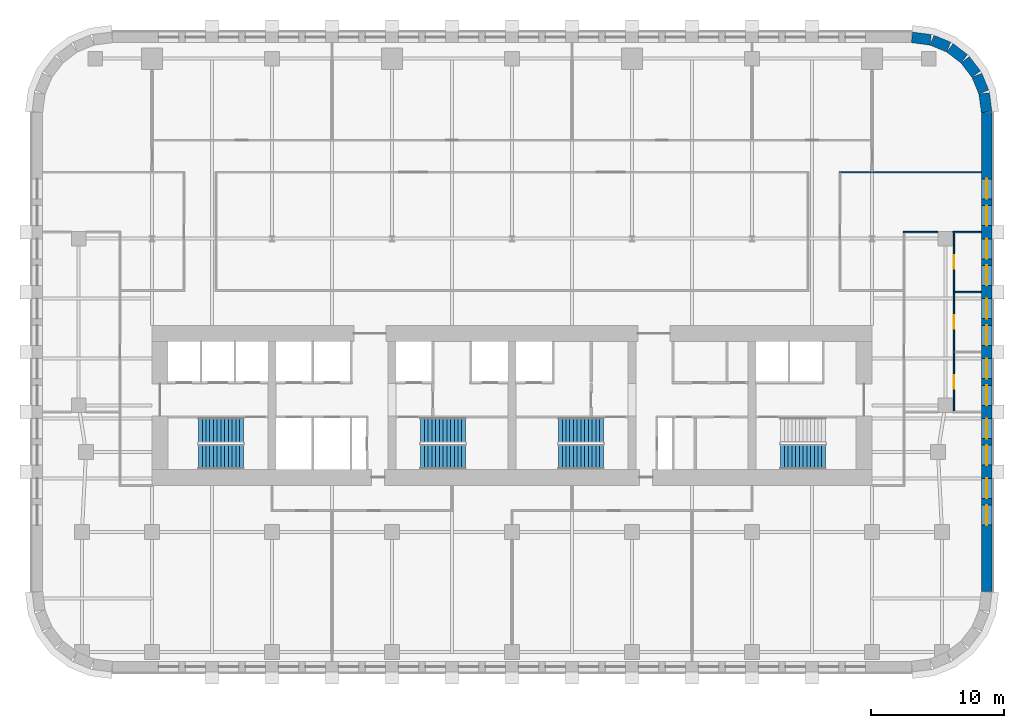
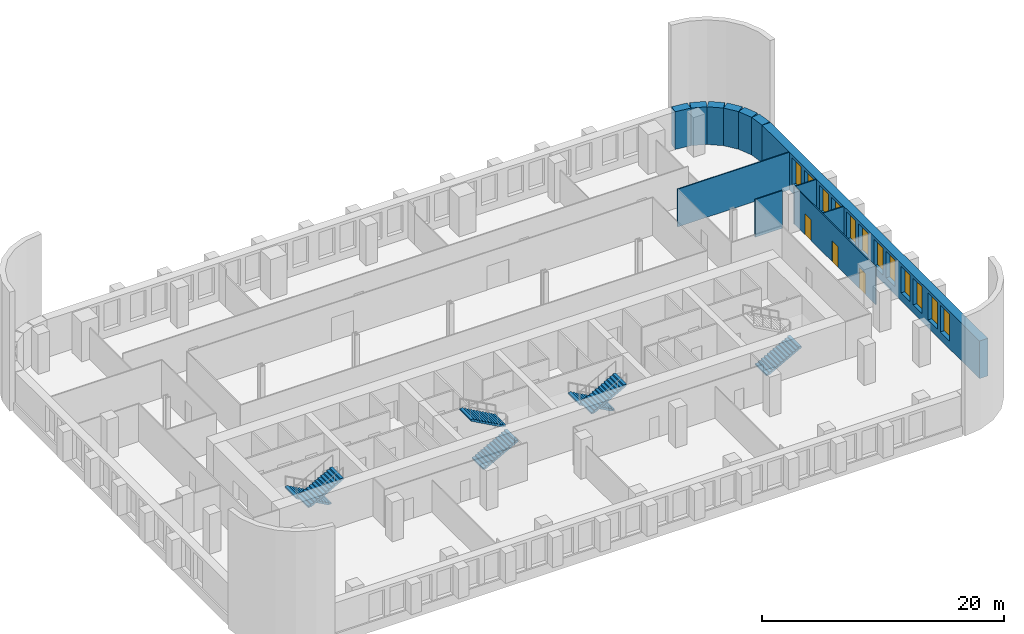
# One storey, part 9 of 12: 12 walls, 12 windows, 7 stair flights, 3 doors, 15 openings, 4 elements without a shape of their own.
"""IFC4 building model written with IfcOpenShell, lengths in metres."""

from ifc_helpers import new_model, si_unit, direction, frame, frame_2d, origin, place, context, subcontext, project, spatial, polyline, rectangle, outline, extrude, material, layer, layer_set, type_object, element, fill, aggregate, save


model = new_model("IFC4")

# Units and contexts
model_context = context("Model", 3, precision=1e-05, world=origin(), true_north=direction((0.0, 1.0)))
body_context = subcontext(model_context, "Body", "Model", "MODEL_VIEW")
ifc_project = project(units=[si_unit("LENGTHUNIT", "METRE"), si_unit("AREAUNIT", "SQUARE_METRE"), si_unit("VOLUMEUNIT", "CUBIC_METRE"), si_unit("PLANEANGLEUNIT", "RADIAN"), si_unit("MASSUNIT", "GRAM", prefix="KILO")], contexts=[model_context])

# Site, building, storey
site_placement = place(None, origin())
site = spatial("IfcSite", under=ifc_project, at=site_placement, CompositionType="ELEMENT")
building_placement = place(site_placement, origin())
building = spatial("IfcBuilding", under=site, at=building_placement, Name="Zellij Exchange Tower", CompositionType="ELEMENT")
storey_placement = place(building_placement, frame((0.0, 0.0, 88.5)))
storey = spatial("IfcBuildingStorey", under=building, at=storey_placement, Name="L18", CompositionType="ELEMENT", Elevation=88.5)

# Wall, openings, windows
ifc_material_1 = material(Name="Precast concrete C40/50", Category="concrete")
ifc_layer_1 = layer(ifc_material_1, 0.800048828125)
ifc_layer_set_1 = layer_set([ifc_layer_1], Name="Precast concrete C40/50")
wall_type_1 = type_object("IfcWallType", Name="ENV-EW1 Precast stone-piered wall 800", PredefinedType="SOLIDWALL", material=ifc_layer_set_1)
wall_1_placement = place(storey_placement, frame((35.60009765625, -21.947509765625, 0.0), z_axis=(0.0, 0.0, 1.0), x_axis=(0.0, 1.0, 0.0)))
wall_1 = element("IfcWall", 1, at=wall_1_placement, inside=storey, type_object=wall_type_1, Name="fac.L18.07", PredefinedType="SOLIDWALL", context=body_context, shape_type="SweptSolid", body=[
    extrude(rectangle(XDim=35.89501953125, YDim=0.800048828125, at=frame_2d((17.947509765625, 0.0))), origin(), (0.0, 0.0, 1.0), 3.800048828125),
])
opening_1_placement = place(wall_1_placement, frame((4.9638671875, 0.0, 0.800048828125)))
opening_1 = element("IfcOpeningElement", 2, at=opening_1_placement, cuts=wall_1, Name="Opening FZ1.25", PredefinedType="OPENING", context=body_context, shape_type="SweptSolid", body=[
    extrude(rectangle(XDim=1.5, YDim=2.699951171875, at=frame_2d((0.75, 1.35009765625))), frame((0.0, 0.412109375, 0.0), z_axis=(0.0, -1.0, 0.0), x_axis=(1.0, 0.0, 0.0)), (0.0, 0.0, 1.0), 0.823974609375),
])
opening_2_placement = place(wall_1_placement, frame((6.9638671875, 0.0, 0.800048828125)))
opening_2 = element("IfcOpeningElement", 3, at=opening_2_placement, cuts=wall_1, Name="Opening FZ1.26", PredefinedType="OPENING", context=body_context, shape_type="SweptSolid", body=[
    extrude(rectangle(XDim=1.5, YDim=2.699951171875, at=frame_2d((0.75, 1.35009765625))), frame((0.0, 0.412109375, 0.0), z_axis=(0.0, -1.0, 0.0), x_axis=(1.0, 0.0, 0.0)), (0.0, 0.0, 1.0), 0.823974609375),
])
opening_3_placement = place(wall_1_placement, frame((9.45751953125, 0.0, 0.800048828125)))
opening_3 = element("IfcOpeningElement", 4, at=opening_3_placement, cuts=wall_1, Name="Opening FZ1.27", PredefinedType="OPENING", context=body_context, shape_type="SweptSolid", body=[
    extrude(rectangle(XDim=1.5, YDim=2.699951171875, at=frame_2d((0.75, 1.35009765625))), frame((0.0, 0.412109375, 0.0), z_axis=(0.0, -1.0, 0.0), x_axis=(1.0, 0.0, 0.0)), (0.0, 0.0, 1.0), 0.823974609375),
])
opening_4_placement = place(wall_1_placement, frame((11.45751953125, 0.0, 0.800048828125)))
opening_4 = element("IfcOpeningElement", 5, at=opening_4_placement, cuts=wall_1, Name="Opening FZ1.28", PredefinedType="OPENING", context=body_context, shape_type="SweptSolid", body=[
    extrude(rectangle(XDim=1.5, YDim=2.699951171875, at=frame_2d((0.75, 1.35009765625))), frame((0.0, 0.412109375, 0.0), z_axis=(0.0, -1.0, 0.0), x_axis=(1.0, 0.0, 0.0)), (0.0, 0.0, 1.0), 0.823974609375),
])
opening_5_placement = place(wall_1_placement, frame((13.950927734375, 0.0, 0.800048828125)))
opening_5 = element("IfcOpeningElement", 6, at=opening_5_placement, cuts=wall_1, Name="Opening FZ1.29", PredefinedType="OPENING", context=body_context, shape_type="SweptSolid", body=[
    extrude(rectangle(XDim=1.5, YDim=2.699951171875, at=frame_2d((0.75, 1.35009765625))), frame((0.0, 0.412109375, 0.0), z_axis=(0.0, -1.0, 0.0), x_axis=(1.0, 0.0, 0.0)), (0.0, 0.0, 1.0), 0.823974609375),
])
opening_6_placement = place(wall_1_placement, frame((15.95068359375, 0.0, 0.800048828125)))
opening_6 = element("IfcOpeningElement", 7, at=opening_6_placement, cuts=wall_1, Name="Opening FZ1.30", PredefinedType="OPENING", context=body_context, shape_type="SweptSolid", body=[
    extrude(rectangle(XDim=1.5, YDim=2.699951171875, at=frame_2d((0.75, 1.35009765625))), frame((0.0, 0.412109375, 0.0), z_axis=(0.0, -1.0, 0.0), x_axis=(1.0, 0.0, 0.0)), (0.0, 0.0, 1.0), 0.823974609375),
])
opening_7_placement = place(wall_1_placement, frame((18.4443359375, 0.0, 0.800048828125)))
opening_7 = element("IfcOpeningElement", 8, at=opening_7_placement, cuts=wall_1, Name="Opening FZ1.31", PredefinedType="OPENING", context=body_context, shape_type="SweptSolid", body=[
    extrude(rectangle(XDim=1.5, YDim=2.699951171875, at=frame_2d((0.75, 1.35009765625))), frame((0.0, 0.412109375, 0.0), z_axis=(0.0, -1.0, 0.0), x_axis=(1.0, 0.0, 0.0)), (0.0, 0.0, 1.0), 0.823974609375),
])
opening_8_placement = place(wall_1_placement, frame((20.4443359375, 0.0, 0.800048828125)))
opening_8 = element("IfcOpeningElement", 9, at=opening_8_placement, cuts=wall_1, Name="Opening FZ1.32", PredefinedType="OPENING", context=body_context, shape_type="SweptSolid", body=[
    extrude(rectangle(XDim=1.5, YDim=2.699951171875, at=frame_2d((0.75, 1.35009765625))), frame((0.0, 0.412109375, 0.0), z_axis=(0.0, -1.0, 0.0), x_axis=(1.0, 0.0, 0.0)), (0.0, 0.0, 1.0), 0.823974609375),
])
opening_9_placement = place(wall_1_placement, frame((22.937744140625, 0.0, 0.800048828125)))
opening_9 = element("IfcOpeningElement", 10, at=opening_9_placement, cuts=wall_1, Name="Opening FZ1.33", PredefinedType="OPENING", context=body_context, shape_type="SweptSolid", body=[
    extrude(rectangle(XDim=1.5, YDim=2.699951171875, at=frame_2d((0.75, 1.35009765625))), frame((0.0, 0.412109375, 0.0), z_axis=(0.0, -1.0, 0.0), x_axis=(1.0, 0.0, 0.0)), (0.0, 0.0, 1.0), 0.823974609375),
])
opening_10_placement = place(wall_1_placement, frame((24.937744140625, 0.0, 0.800048828125)))
opening_10 = element("IfcOpeningElement", 11, at=opening_10_placement, cuts=wall_1, Name="Opening FZ1.34", PredefinedType="OPENING", context=body_context, shape_type="SweptSolid", body=[
    extrude(rectangle(XDim=1.5, YDim=2.699951171875, at=frame_2d((0.75, 1.35009765625))), frame((0.0, 0.412109375, 0.0), z_axis=(0.0, -1.0, 0.0), x_axis=(1.0, 0.0, 0.0)), (0.0, 0.0, 1.0), 0.823974609375),
])
opening_11_placement = place(wall_1_placement, frame((27.43115234375, 0.0, 0.800048828125)))
opening_11 = element("IfcOpeningElement", 12, at=opening_11_placement, cuts=wall_1, Name="Opening FZ1.35", PredefinedType="OPENING", context=body_context, shape_type="SweptSolid", body=[
    extrude(rectangle(XDim=1.5, YDim=2.699951171875, at=frame_2d((0.75, 1.35009765625))), frame((0.0, 0.412109375, 0.0), z_axis=(0.0, -1.0, 0.0), x_axis=(1.0, 0.0, 0.0)), (0.0, 0.0, 1.0), 0.823974609375),
])
opening_12_placement = place(wall_1_placement, frame((29.43115234375, 0.0, 0.800048828125)))
opening_12 = element("IfcOpeningElement", 13, at=opening_12_placement, cuts=wall_1, Name="Opening FZ1.36", PredefinedType="OPENING", context=body_context, shape_type="SweptSolid", body=[
    extrude(rectangle(XDim=1.5, YDim=2.699951171875, at=frame_2d((0.75, 1.35009765625))), frame((0.0, 0.412109375, 0.0), z_axis=(0.0, -1.0, 0.0), x_axis=(1.0, 0.0, 0.0)), (0.0, 0.0, 1.0), 0.823974609375),
])
ifc_material_2 = material(Name="Aluminium frame with insulating glass", Category="aluminium")
window_type = type_object("IfcWindowType", Name="ENV-W6 Window 1500x2700", PartitioningType="SINGLE_PANEL", PredefinedType="WINDOW", material=ifc_material_2)
window_1_placement = place(opening_1_placement, origin())
window_1 = element("IfcWindow", 14, at=window_1_placement, inside=storey, type_object=window_type, Name="Window FZ1.25", OverallHeight=2.699951171875, OverallWidth=1.5, PartitioningType="SINGLE_PANEL", PredefinedType="WINDOW", context=body_context, shape_type="SweptSolid", body=[
    extrude(rectangle(XDim=1.5, YDim=2.699951171875, at=frame_2d((0.75, 1.35009765625))), frame((0.0, 0.030029296875, 0.0), z_axis=(0.0, -1.0, 0.0), x_axis=(1.0, 0.0, 0.0)), (0.0, 0.0, 1.0), 0.06005859375),
])
fill(opening_1, window_1)
window_2_placement = place(opening_2_placement, origin())
window_2 = element("IfcWindow", 15, at=window_2_placement, inside=storey, type_object=window_type, Name="Window FZ1.26", OverallHeight=2.699951171875, OverallWidth=1.5, PartitioningType="SINGLE_PANEL", PredefinedType="WINDOW", context=body_context, shape_type="SweptSolid", body=[
    extrude(rectangle(XDim=1.5, YDim=2.699951171875, at=frame_2d((0.75, 1.35009765625))), frame((0.0, 0.030029296875, 0.0), z_axis=(0.0, -1.0, 0.0), x_axis=(1.0, 0.0, 0.0)), (0.0, 0.0, 1.0), 0.06005859375),
])
fill(opening_2, window_2)
window_3_placement = place(opening_3_placement, origin())
window_3 = element("IfcWindow", 16, at=window_3_placement, inside=storey, type_object=window_type, Name="Window FZ1.27", OverallHeight=2.699951171875, OverallWidth=1.5, PartitioningType="SINGLE_PANEL", PredefinedType="WINDOW", context=body_context, shape_type="SweptSolid", body=[
    extrude(rectangle(XDim=1.5, YDim=2.699951171875, at=frame_2d((0.75, 1.35009765625))), frame((0.0, 0.030029296875, 0.0), z_axis=(0.0, -1.0, 0.0), x_axis=(1.0, 0.0, 0.0)), (0.0, 0.0, 1.0), 0.06005859375),
])
fill(opening_3, window_3)
window_4_placement = place(opening_4_placement, origin())
window_4 = element("IfcWindow", 17, at=window_4_placement, inside=storey, type_object=window_type, Name="Window FZ1.28", OverallHeight=2.699951171875, OverallWidth=1.5, PartitioningType="SINGLE_PANEL", PredefinedType="WINDOW", context=body_context, shape_type="SweptSolid", body=[
    extrude(rectangle(XDim=1.5, YDim=2.699951171875, at=frame_2d((0.75, 1.35009765625))), frame((0.0, 0.030029296875, 0.0), z_axis=(0.0, -1.0, 0.0), x_axis=(1.0, 0.0, 0.0)), (0.0, 0.0, 1.0), 0.06005859375),
])
fill(opening_4, window_4)
window_5_placement = place(opening_5_placement, origin())
window_5 = element("IfcWindow", 18, at=window_5_placement, inside=storey, type_object=window_type, Name="Window FZ1.29", OverallHeight=2.699951171875, OverallWidth=1.5, PartitioningType="SINGLE_PANEL", PredefinedType="WINDOW", context=body_context, shape_type="SweptSolid", body=[
    extrude(rectangle(XDim=1.5, YDim=2.699951171875, at=frame_2d((0.75, 1.35009765625))), frame((0.0, 0.030029296875, 0.0), z_axis=(0.0, -1.0, 0.0), x_axis=(1.0, 0.0, 0.0)), (0.0, 0.0, 1.0), 0.06005859375),
])
fill(opening_5, window_5)
window_6_placement = place(opening_6_placement, origin())
window_6 = element("IfcWindow", 19, at=window_6_placement, inside=storey, type_object=window_type, Name="Window FZ1.30", OverallHeight=2.699951171875, OverallWidth=1.5, PartitioningType="SINGLE_PANEL", PredefinedType="WINDOW", context=body_context, shape_type="SweptSolid", body=[
    extrude(rectangle(XDim=1.5, YDim=2.699951171875, at=frame_2d((0.75, 1.35009765625))), frame((0.0, 0.030029296875, 0.0), z_axis=(0.0, -1.0, 0.0), x_axis=(1.0, 0.0, 0.0)), (0.0, 0.0, 1.0), 0.06005859375),
])
fill(opening_6, window_6)
window_7_placement = place(opening_7_placement, origin())
window_7 = element("IfcWindow", 20, at=window_7_placement, inside=storey, type_object=window_type, Name="Window FZ1.31", OverallHeight=2.699951171875, OverallWidth=1.5, PartitioningType="SINGLE_PANEL", PredefinedType="WINDOW", context=body_context, shape_type="SweptSolid", body=[
    extrude(rectangle(XDim=1.5, YDim=2.699951171875, at=frame_2d((0.75, 1.35009765625))), frame((0.0, 0.030029296875, 0.0), z_axis=(0.0, -1.0, 0.0), x_axis=(1.0, 0.0, 0.0)), (0.0, 0.0, 1.0), 0.06005859375),
])
fill(opening_7, window_7)
window_8_placement = place(opening_8_placement, origin())
window_8 = element("IfcWindow", 21, at=window_8_placement, inside=storey, type_object=window_type, Name="Window FZ1.32", OverallHeight=2.699951171875, OverallWidth=1.5, PartitioningType="SINGLE_PANEL", PredefinedType="WINDOW", context=body_context, shape_type="SweptSolid", body=[
    extrude(rectangle(XDim=1.5, YDim=2.699951171875, at=frame_2d((0.75, 1.35009765625))), frame((0.0, 0.030029296875, 0.0), z_axis=(0.0, -1.0, 0.0), x_axis=(1.0, 0.0, 0.0)), (0.0, 0.0, 1.0), 0.06005859375),
])
fill(opening_8, window_8)
window_9_placement = place(opening_9_placement, origin())
window_9 = element("IfcWindow", 22, at=window_9_placement, inside=storey, type_object=window_type, Name="Window FZ1.33", OverallHeight=2.699951171875, OverallWidth=1.5, PartitioningType="SINGLE_PANEL", PredefinedType="WINDOW", context=body_context, shape_type="SweptSolid", body=[
    extrude(rectangle(XDim=1.5, YDim=2.699951171875, at=frame_2d((0.75, 1.35009765625))), frame((0.0, 0.030029296875, 0.0), z_axis=(0.0, -1.0, 0.0), x_axis=(1.0, 0.0, 0.0)), (0.0, 0.0, 1.0), 0.06005859375),
])
fill(opening_9, window_9)
window_10_placement = place(opening_10_placement, origin())
window_10 = element("IfcWindow", 23, at=window_10_placement, inside=storey, type_object=window_type, Name="Window FZ1.34", OverallHeight=2.699951171875, OverallWidth=1.5, PartitioningType="SINGLE_PANEL", PredefinedType="WINDOW", context=body_context, shape_type="SweptSolid", body=[
    extrude(rectangle(XDim=1.5, YDim=2.699951171875, at=frame_2d((0.75, 1.35009765625))), frame((0.0, 0.030029296875, 0.0), z_axis=(0.0, -1.0, 0.0), x_axis=(1.0, 0.0, 0.0)), (0.0, 0.0, 1.0), 0.06005859375),
])
fill(opening_10, window_10)
window_11_placement = place(opening_11_placement, origin())
window_11 = element("IfcWindow", 24, at=window_11_placement, inside=storey, type_object=window_type, Name="Window FZ1.35", OverallHeight=2.699951171875, OverallWidth=1.5, PartitioningType="SINGLE_PANEL", PredefinedType="WINDOW", context=body_context, shape_type="SweptSolid", body=[
    extrude(rectangle(XDim=1.5, YDim=2.699951171875, at=frame_2d((0.75, 1.35009765625))), frame((0.0, 0.030029296875, 0.0), z_axis=(0.0, -1.0, 0.0), x_axis=(1.0, 0.0, 0.0)), (0.0, 0.0, 1.0), 0.06005859375),
])
fill(opening_11, window_11)
window_12_placement = place(opening_12_placement, origin())
window_12 = element("IfcWindow", 25, at=window_12_placement, inside=storey, type_object=window_type, Name="Window FZ1.36", OverallHeight=2.699951171875, OverallWidth=1.5, PartitioningType="SINGLE_PANEL", PredefinedType="WINDOW", context=body_context, shape_type="SweptSolid", body=[
    extrude(rectangle(XDim=1.5, YDim=2.699951171875, at=frame_2d((0.75, 1.35009765625))), frame((0.0, 0.030029296875, 0.0), z_axis=(0.0, -1.0, 0.0), x_axis=(1.0, 0.0, 0.0)), (0.0, 0.0, 1.0), 0.06005859375),
])
fill(opening_12, window_12)

# Walls
wall_2_placement = place(storey_placement, frame((35.5966796875, 13.999755859375, 0.0), z_axis=(0.0, 0.0, 1.0), x_axis=(-0.130517283865, 0.99144603414, 0.0)))
element("IfcWall", 26, at=wall_2_placement, inside=storey, type_object=wall_type_1, Name="fac.L18.08", PredefinedType="SOLIDWALL", context=body_context, shape_type="SweptSolid", body=[
    extrude(rectangle(XDim=1.408447265625, YDim=0.800048828125, at=frame_2d((0.7041015625, 0.0))), origin(), (0.0, 0.0, 1.0), 3.800048828125),
])
wall_3_placement = place(storey_placement, frame((35.3857421875, 15.497314453125, 0.0), z_axis=(0.0, 0.0, 1.0), x_axis=(-0.38276009378, 0.923847774587, 0.0)))
element("IfcWall", 27, at=wall_3_placement, inside=storey, type_object=wall_type_1, Name="fac.L18.09", PredefinedType="SOLIDWALL", context=body_context, shape_type="SweptSolid", body=[
    extrude(rectangle(XDim=1.35546875, YDim=0.800048828125, at=frame_2d((0.677734375, 0.0))), origin(), (0.0, 0.0, 1.0), 3.800048828125),
])
for number, where, z_axis, x_axis, name in (
    (28, (34.814697265625, 16.840087890625, 0.0), (0.0, 0.0, 1.0), (-0.608866226366, 0.793272915452, 0.0), "fac.L18.10"),
    (29, (33.91552734375, 17.9892578125, 0.0), (0.0, 0.0, 1.0), (-0.793272915452, 0.608866226366, 0.0), "fac.L18.11"),
):
    element("IfcWall", number, at=place(storey_placement, frame(where, z_axis=z_axis, x_axis=x_axis)), inside=storey, type_object=wall_type_1, Name=name, PredefinedType="SOLIDWALL", context=body_context, shape_type="SweptSolid", body=[
        extrude(rectangle(XDim=1.355712890625, YDim=0.800048828125, at=frame_2d((0.677734375, 0.0))), origin(), (0.0, 0.0, 1.0), 3.800048828125),
    ])
wall_4_placement = place(storey_placement, frame((32.74951171875, 18.866943359375, 0.0), z_axis=(0.0, 0.0, 1.0), x_axis=(-0.923847774587, 0.38276009378, 0.0)))
element("IfcWall", 30, at=wall_4_placement, inside=storey, type_object=wall_type_1, Name="fac.L18.12", PredefinedType="SOLIDWALL", context=body_context, shape_type="SweptSolid", body=[
    extrude(rectangle(XDim=1.35546875, YDim=0.800048828125, at=frame_2d((0.677734375, 0.0))), origin(), (0.0, 0.0, 1.0), 3.800048828125),
])
wall_5_placement = place(storey_placement, frame((31.396240234375, 19.412841796875, 0.0), z_axis=(0.0, 0.0, 1.0), x_axis=(-0.99144603414, 0.130517283865, 0.0)))
element("IfcWall", 31, at=wall_5_placement, inside=storey, type_object=wall_type_1, Name="fac.L18.13", PredefinedType="SOLIDWALL", context=body_context, shape_type="SweptSolid", body=[
    extrude(rectangle(XDim=1.408447265625, YDim=0.800048828125, at=frame_2d((0.7041015625, 0.0))), origin(), (0.0, 0.0, 1.0), 3.800048828125),
])

# Wall, openings, doors
ifc_material_3 = material(Name="Gypsum board partition on steel studs", Category="steel")
ifc_layer_2 = layer(ifc_material_3, 0.10009765625)
ifc_layer_set_2 = layer_set([ifc_layer_2], Name="Gypsum board partition on steel studs")
wall_type_2 = type_object("IfcWallType", Name="FIT-PARTITION-100", PredefinedType="PARTITIONING", material=ifc_layer_set_2)
wall_6_placement = place(storey_placement, frame((33.14990234375, -8.43994140625, 0.0), z_axis=(0.0, 0.0, 1.0), x_axis=(0.0, 1.0, 0.0)))
wall_6 = element("IfcWall", 32, at=wall_6_placement, inside=storey, type_object=wall_type_2, Name="FIT-PARTITION-100 021", PredefinedType="PARTITIONING", context=body_context, shape_type="SweptSolid", body=[
    extrude(rectangle(XDim=13.3798828125, YDim=0.10009765625, at=frame_2d((6.68994140625, 0.0))), origin(), (0.0, 0.0, 1.0), 3.800048828125),
])
opening_13_placement = place(wall_6_placement, frame((1.699951171875, 0.0, 0.0)))
opening_13 = element("IfcOpeningElement", 33, at=opening_13_placement, cuts=wall_6, Name="Opening TD.05", PredefinedType="OPENING", context=body_context, shape_type="SweptSolid", body=[
    extrude(rectangle(XDim=1.0, YDim=2.10009765625, at=frame_2d((0.5, 1.050048828125))), frame((0.0, 0.06201171875, 0.0), z_axis=(0.0, -1.0, 0.0), x_axis=(1.0, 0.0, 0.0)), (0.0, 0.0, 1.0), 0.1240234375),
])
opening_14_placement = place(wall_6_placement, frame((6.18994140625, 0.0, 0.0)))
opening_14 = element("IfcOpeningElement", 34, at=opening_14_placement, cuts=wall_6, Name="Opening TD.08", PredefinedType="OPENING", context=body_context, shape_type="SweptSolid", body=[
    extrude(rectangle(XDim=1.0, YDim=2.10009765625, at=frame_2d((0.5, 1.050048828125))), frame((0.0, 0.06201171875, 0.0), z_axis=(0.0, -1.0, 0.0), x_axis=(1.0, 0.0, 0.0)), (0.0, 0.0, 1.0), 0.1240234375),
])
opening_15_placement = place(wall_6_placement, frame((10.679931640625, 0.0, 0.0)))
opening_15 = element("IfcOpeningElement", 35, at=opening_15_placement, cuts=wall_6, Name="Opening TD.09", PredefinedType="OPENING", context=body_context, shape_type="SweptSolid", body=[
    extrude(rectangle(XDim=1.0, YDim=2.10009765625, at=frame_2d((0.5, 1.050048828125))), frame((0.0, 0.06201171875, 0.0), z_axis=(0.0, -1.0, 0.0), x_axis=(1.0, 0.0, 0.0)), (0.0, 0.0, 1.0), 0.1240234375),
])
ifc_material_4 = material(Name="Timber door set", Category="wood")
door_type = type_object("IfcDoorType", Name="FIT-D2-WIDE-1000X2100", OperationType="SINGLE_SWING_LEFT", PredefinedType="DOOR", material=ifc_material_4)
door_1_placement = place(opening_13_placement, origin())
door_1 = element("IfcDoor", 36, at=door_1_placement, inside=storey, type_object=door_type, Name="Door TD.05", OperationType="SINGLE_SWING_RIGHT", OverallHeight=2.10009765625, OverallWidth=1.0, PredefinedType="DOOR", context=body_context, shape_type="SweptSolid", body=[
    extrude(rectangle(XDim=1.0, YDim=2.10009765625, at=frame_2d((0.5, 1.050048828125))), frame((0.0, 0.02490234375, 0.0), z_axis=(0.0, -1.0, 0.0), x_axis=(1.0, 0.0, 0.0)), (0.0, 0.0, 1.0), 0.050048828125),
])
fill(opening_13, door_1)
door_2_placement = place(opening_14_placement, origin())
door_2 = element("IfcDoor", 37, at=door_2_placement, inside=storey, type_object=door_type, Name="Door TD.08", OperationType="SINGLE_SWING_RIGHT", OverallHeight=2.10009765625, OverallWidth=1.0, PredefinedType="DOOR", context=body_context, shape_type="SweptSolid", body=[
    extrude(rectangle(XDim=1.0, YDim=2.10009765625, at=frame_2d((0.5, 1.050048828125))), frame((0.0, 0.02490234375, 0.0), z_axis=(0.0, -1.0, 0.0), x_axis=(1.0, 0.0, 0.0)), (0.0, 0.0, 1.0), 0.050048828125),
])
fill(opening_14, door_2)
door_3_placement = place(opening_15_placement, origin())
door_3 = element("IfcDoor", 38, at=door_3_placement, inside=storey, type_object=door_type, Name="Door TD.09", OperationType="SINGLE_SWING_LEFT", OverallHeight=2.10009765625, OverallWidth=1.0, PredefinedType="DOOR", context=body_context, shape_type="SweptSolid", body=[
    extrude(rectangle(XDim=1.0, YDim=2.10009765625, at=frame_2d((0.5, 1.050048828125))), frame((0.0, 0.02490234375, 0.0), z_axis=(0.0, -1.0, 0.0), x_axis=(1.0, 0.0, 0.0)), (0.0, 0.0, 1.0), 0.050048828125),
])
fill(opening_15, door_3)

# Walls
wall_7_placement = place(storey_placement, frame((33.199951171875, 0.489990234375, 0.0), z_axis=(0.0, 0.0, 1.0), x_axis=(1.0, 0.0, 0.0)))
element("IfcWall", 39, at=wall_7_placement, inside=storey, type_object=wall_type_2, Name="FIT-PARTITION-100 023", PredefinedType="PARTITIONING", context=body_context, shape_type="SweptSolid", body=[
    extrude(rectangle(XDim=2.0, YDim=0.10009765625, at=frame_2d((1.0, 0.0))), origin(), (0.0, 0.0, 1.0), 3.800048828125),
])
wall_8_placement = place(storey_placement, frame((29.35009765625, 4.989990234375, 0.0), z_axis=(0.0, 0.0, 1.0), x_axis=(1.0, 0.0, 0.0)))
element("IfcWall", 40, at=wall_8_placement, inside=storey, type_object=wall_type_2, Name="FIT-PARTITION-100 033", PredefinedType="PARTITIONING", context=body_context, shape_type="SweptSolid", body=[
    extrude(rectangle(XDim=2.599853515625, YDim=0.10009765625, at=frame_2d((1.2998046875, 0.0))), origin(), (0.0, 0.0, 1.0), 3.800048828125),
])
wall_9_placement = place(storey_placement, frame((33.050048828125, 4.989990234375, 0.0), z_axis=(0.0, 0.0, 1.0), x_axis=(1.0, 0.0, 0.0)))
element("IfcWall", 41, at=wall_9_placement, inside=storey, type_object=wall_type_2, Name="FIT-PARTITION-100 034", PredefinedType="PARTITIONING", context=body_context, shape_type="SweptSolid", body=[
    extrude(rectangle(XDim=2.14990234375, YDim=0.10009765625, at=frame_2d((1.074951171875, 0.0))), origin(), (0.0, 0.0, 1.0), 3.800048828125),
])
wall_10_placement = place(storey_placement, frame((24.550048828125, 9.47998046875, 0.0), z_axis=(0.0, 0.0, 1.0), x_axis=(1.0, 0.0, 0.0)))
element("IfcWall", 42, at=wall_10_placement, inside=storey, type_object=wall_type_2, Name="FIT-PARTITION-100 038", PredefinedType="PARTITIONING", context=body_context, shape_type="SweptSolid", body=[
    extrude(rectangle(XDim=10.64990234375, YDim=0.10009765625, at=frame_2d((5.324951171875, 0.0))), origin(), (0.0, 0.0, 1.0), 3.800048828125),
])

# Stair, stair flights
ifc_material_5 = material(Name="Concrete C40/50", Category="concrete")
stair_type = type_object("IfcStairType", Name="CORE-ST exit stair 1850 wide", PredefinedType="HALF_TURN_STAIR", material=ifc_material_5)
stair_1_placement = place(storey_placement, origin())
stair_1 = element("IfcStair", 43, at=stair_1_placement, inside=storey, type_object=stair_type, Name="L18 exit stair ST1", PredefinedType="HALF_TURN_STAIR")
stair_flight_type = type_object("IfcStairFlightType", Name="CORE-SF flight 1850 riser 153.8 going 280", PredefinedType="STRAIGHT", material=ifc_material_5)
stair_flight_1_placement = place(storey_placement, frame((-20.14990234375, -9.875, 0.0), z_axis=(0.0, 0.0, 1.0), x_axis=(-1.0, 0.0, 0.0)))
stair_flight_1 = element("IfcStairFlight", 44, at=stair_flight_1_placement, type_object=stair_flight_type, Name="ST1 flight 1", NumberOfRisers=13, NumberOfTreads=12, PredefinedType="STRAIGHT", RiserHeight=0.153846154, TreadLength=0.28, context=body_context, shape_type="SweptSolid", body=[
    extrude(outline(polyline([(0.0, 0.0), (0.0, 0.15380859375), (0.280029296875, 0.15380859375), (0.280029296875, 0.3076171875), (0.56005859375, 0.3076171875), (0.56005859375, 0.46142578125), (0.840087890625, 0.46142578125), (0.840087890625, 0.615478515625), (1.1201171875, 0.615478515625), (1.1201171875, 0.769287109375), (1.39990234375, 0.769287109375), (1.39990234375, 0.923095703125), (1.679931640625, 0.923095703125), (1.679931640625, 1.076904296875), (1.9599609375, 1.076904296875), (1.9599609375, 1.230712890625), (2.239990234375, 1.230712890625), (2.239990234375, 1.384521484375), (2.52001953125, 1.384521484375), (2.52001953125, 1.53857421875), (2.800048828125, 1.53857421875), (2.800048828125, 1.6923828125), (3.080078125, 1.6923828125), (3.080078125, 1.84619140625), (3.360107421875, 1.84619140625), (3.360107421875, 2.0), (3.360107421875, 1.675048828125), (0.311279296875, 0.0), (0.0, 0.0)])), frame((0.0, 0.925048828125, 0.0), z_axis=(0.0, -1.0, 0.0), x_axis=(1.0, 0.0, 0.0)), (0.0, 0.0, 1.0), 1.85009765625),
])
stair_flight_2_placement = place(storey_placement, frame((-23.510009765625, -11.875, 2.0), z_axis=(0.0, 0.0, 1.0), x_axis=(1.0, 0.0, 0.0)))
stair_flight_2 = element("IfcStairFlight", 45, at=stair_flight_2_placement, type_object=stair_flight_type, Name="ST1 flight 2", NumberOfRisers=13, NumberOfTreads=12, PredefinedType="STRAIGHT", RiserHeight=0.153846154, TreadLength=0.28, context=body_context, shape_type="SweptSolid", body=[
    extrude(outline(polyline([(0.0, 0.0), (0.0, 0.15380859375), (0.280029296875, 0.15380859375), (0.280029296875, 0.3076171875), (0.56005859375, 0.3076171875), (0.56005859375, 0.46142578125), (0.840087890625, 0.46142578125), (0.840087890625, 0.615478515625), (1.1201171875, 0.615478515625), (1.1201171875, 0.769287109375), (1.39990234375, 0.769287109375), (1.39990234375, 0.923095703125), (1.679931640625, 0.923095703125), (1.679931640625, 1.076904296875), (1.9599609375, 1.076904296875), (1.9599609375, 1.230712890625), (2.239990234375, 1.230712890625), (2.239990234375, 1.384521484375), (2.52001953125, 1.384521484375), (2.52001953125, 1.53857421875), (2.800048828125, 1.53857421875), (2.800048828125, 1.6923828125), (3.080078125, 1.6923828125), (3.080078125, 1.84619140625), (3.360107421875, 1.84619140625), (3.360107421875, 2.0), (3.360107421875, 1.675048828125), (0.311279296875, 0.0), (0.0, 0.0)])), frame((0.0, 0.925048828125, 0.0), z_axis=(0.0, -1.0, 0.0), x_axis=(1.0, 0.0, 0.0)), (0.0, 0.0, 1.0), 1.85009765625),
])
aggregate(stair_1, [stair_flight_1, stair_flight_2])

stair_2_placement = place(storey_placement, origin())
stair_2 = element("IfcStair", 46, at=stair_2_placement, inside=storey, type_object=stair_type, Name="L18 exit stair ST2", PredefinedType="HALF_TURN_STAIR")
stair_flight_3_placement = place(storey_placement, frame((-6.85009765625, -11.875, 0.0), z_axis=(0.0, 0.0, 1.0), x_axis=(1.0, 0.0, 0.0)))
stair_flight_3 = element("IfcStairFlight", 47, at=stair_flight_3_placement, type_object=stair_flight_type, Name="ST2 flight 1", NumberOfRisers=13, NumberOfTreads=12, PredefinedType="STRAIGHT", RiserHeight=0.153846154, TreadLength=0.28, context=body_context, shape_type="SweptSolid", body=[
    extrude(outline(polyline([(0.0, 0.0), (0.0, 0.15380859375), (0.280029296875, 0.15380859375), (0.280029296875, 0.3076171875), (0.56005859375, 0.3076171875), (0.56005859375, 0.46142578125), (0.840087890625, 0.46142578125), (0.840087890625, 0.615478515625), (1.1201171875, 0.615478515625), (1.1201171875, 0.769287109375), (1.39990234375, 0.769287109375), (1.39990234375, 0.923095703125), (1.679931640625, 0.923095703125), (1.679931640625, 1.076904296875), (1.9599609375, 1.076904296875), (1.9599609375, 1.230712890625), (2.239990234375, 1.230712890625), (2.239990234375, 1.384521484375), (2.52001953125, 1.384521484375), (2.52001953125, 1.53857421875), (2.800048828125, 1.53857421875), (2.800048828125, 1.6923828125), (3.080078125, 1.6923828125), (3.080078125, 1.84619140625), (3.360107421875, 1.84619140625), (3.360107421875, 2.0), (3.360107421875, 1.675048828125), (0.311279296875, 0.0), (0.0, 0.0)])), frame((0.0, 0.925048828125, 0.0), z_axis=(0.0, -1.0, 0.0), x_axis=(1.0, 0.0, 0.0)), (0.0, 0.0, 1.0), 1.85009765625),
])
stair_flight_4_placement = place(storey_placement, frame((-3.489990234375, -9.875, 2.0), z_axis=(0.0, 0.0, 1.0), x_axis=(-1.0, 0.0, 0.0)))
stair_flight_4 = element("IfcStairFlight", 48, at=stair_flight_4_placement, type_object=stair_flight_type, Name="ST2 flight 2", NumberOfRisers=13, NumberOfTreads=12, PredefinedType="STRAIGHT", RiserHeight=0.153846154, TreadLength=0.28, context=body_context, shape_type="SweptSolid", body=[
    extrude(outline(polyline([(0.0, 0.0), (0.0, 0.15380859375), (0.280029296875, 0.15380859375), (0.280029296875, 0.3076171875), (0.56005859375, 0.3076171875), (0.56005859375, 0.46142578125), (0.840087890625, 0.46142578125), (0.840087890625, 0.615478515625), (1.1201171875, 0.615478515625), (1.1201171875, 0.769287109375), (1.39990234375, 0.769287109375), (1.39990234375, 0.923095703125), (1.679931640625, 0.923095703125), (1.679931640625, 1.076904296875), (1.9599609375, 1.076904296875), (1.9599609375, 1.230712890625), (2.239990234375, 1.230712890625), (2.239990234375, 1.384521484375), (2.52001953125, 1.384521484375), (2.52001953125, 1.53857421875), (2.800048828125, 1.53857421875), (2.800048828125, 1.6923828125), (3.080078125, 1.6923828125), (3.080078125, 1.84619140625), (3.360107421875, 1.84619140625), (3.360107421875, 2.0), (3.360107421875, 1.675048828125), (0.311279296875, 0.0), (0.0, 0.0)])), frame((0.0, 0.925048828125, 0.0), z_axis=(0.0, -1.0, 0.0), x_axis=(1.0, 0.0, 0.0)), (0.0, 0.0, 1.0), 1.85009765625),
])
aggregate(stair_2, [stair_flight_3, stair_flight_4])

stair_3_placement = place(storey_placement, origin())
stair_3 = element("IfcStair", 49, at=stair_3_placement, inside=storey, type_object=stair_type, Name="L18 exit stair ST3", PredefinedType="HALF_TURN_STAIR")
stair_flight_5_placement = place(storey_placement, frame((6.85009765625, -9.875, 0.0), z_axis=(0.0, 0.0, 1.0), x_axis=(-1.0, 0.0, 0.0)))
stair_flight_5 = element("IfcStairFlight", 50, at=stair_flight_5_placement, type_object=stair_flight_type, Name="ST3 flight 1", NumberOfRisers=13, NumberOfTreads=12, PredefinedType="STRAIGHT", RiserHeight=0.153846154, TreadLength=0.28, context=body_context, shape_type="SweptSolid", body=[
    extrude(outline(polyline([(0.0, 0.0), (0.0, 0.15380859375), (0.280029296875, 0.15380859375), (0.280029296875, 0.3076171875), (0.56005859375, 0.3076171875), (0.56005859375, 0.46142578125), (0.840087890625, 0.46142578125), (0.840087890625, 0.615478515625), (1.1201171875, 0.615478515625), (1.1201171875, 0.769287109375), (1.39990234375, 0.769287109375), (1.39990234375, 0.923095703125), (1.679931640625, 0.923095703125), (1.679931640625, 1.076904296875), (1.9599609375, 1.076904296875), (1.9599609375, 1.230712890625), (2.239990234375, 1.230712890625), (2.239990234375, 1.384521484375), (2.52001953125, 1.384521484375), (2.52001953125, 1.53857421875), (2.800048828125, 1.53857421875), (2.800048828125, 1.6923828125), (3.080078125, 1.6923828125), (3.080078125, 1.84619140625), (3.360107421875, 1.84619140625), (3.360107421875, 2.0), (3.360107421875, 1.675048828125), (0.311279296875, 0.0), (0.0, 0.0)])), frame((0.0, 0.925048828125, 0.0), z_axis=(0.0, -1.0, 0.0), x_axis=(1.0, 0.0, 0.0)), (0.0, 0.0, 1.0), 1.85009765625),
])
stair_flight_6_placement = place(storey_placement, frame((3.489990234375, -11.875, 2.0), z_axis=(0.0, 0.0, 1.0), x_axis=(1.0, 0.0, 0.0)))
stair_flight_6 = element("IfcStairFlight", 51, at=stair_flight_6_placement, type_object=stair_flight_type, Name="ST3 flight 2", NumberOfRisers=13, NumberOfTreads=12, PredefinedType="STRAIGHT", RiserHeight=0.153846154, TreadLength=0.28, context=body_context, shape_type="SweptSolid", body=[
    extrude(outline(polyline([(0.0, 0.0), (0.0, 0.15380859375), (0.280029296875, 0.15380859375), (0.280029296875, 0.3076171875), (0.56005859375, 0.3076171875), (0.56005859375, 0.46142578125), (0.840087890625, 0.46142578125), (0.840087890625, 0.615478515625), (1.1201171875, 0.615478515625), (1.1201171875, 0.769287109375), (1.39990234375, 0.769287109375), (1.39990234375, 0.923095703125), (1.679931640625, 0.923095703125), (1.679931640625, 1.076904296875), (1.9599609375, 1.076904296875), (1.9599609375, 1.230712890625), (2.239990234375, 1.230712890625), (2.239990234375, 1.384521484375), (2.52001953125, 1.384521484375), (2.52001953125, 1.53857421875), (2.800048828125, 1.53857421875), (2.800048828125, 1.6923828125), (3.080078125, 1.6923828125), (3.080078125, 1.84619140625), (3.360107421875, 1.84619140625), (3.360107421875, 2.0), (3.360107421875, 1.675048828125), (0.311279296875, 0.0), (0.0, 0.0)])), frame((0.0, 0.925048828125, 0.0), z_axis=(0.0, -1.0, 0.0), x_axis=(1.0, 0.0, 0.0)), (0.0, 0.0, 1.0), 1.85009765625),
])
aggregate(stair_3, [stair_flight_5, stair_flight_6])

# Stair, stair flight
stair_4_placement = place(storey_placement, origin())
stair_4 = element("IfcStair", 52, at=stair_4_placement, inside=storey, type_object=stair_type, Name="L18 exit stair ST4", PredefinedType="HALF_TURN_STAIR")
stair_flight_7_placement = place(storey_placement, frame((20.14990234375, -11.875, 0.0), z_axis=(0.0, 0.0, 1.0), x_axis=(1.0, 0.0, 0.0)))
stair_flight_7 = element("IfcStairFlight", 53, at=stair_flight_7_placement, type_object=stair_flight_type, Name="ST4 flight 1", NumberOfRisers=13, NumberOfTreads=12, PredefinedType="STRAIGHT", RiserHeight=0.153846154, TreadLength=0.28, context=body_context, shape_type="SweptSolid", body=[
    extrude(outline(polyline([(0.0, 0.0), (0.0, 0.15380859375), (0.280029296875, 0.15380859375), (0.280029296875, 0.3076171875), (0.56005859375, 0.3076171875), (0.56005859375, 0.46142578125), (0.840087890625, 0.46142578125), (0.840087890625, 0.615478515625), (1.1201171875, 0.615478515625), (1.1201171875, 0.769287109375), (1.39990234375, 0.769287109375), (1.39990234375, 0.923095703125), (1.679931640625, 0.923095703125), (1.679931640625, 1.076904296875), (1.9599609375, 1.076904296875), (1.9599609375, 1.230712890625), (2.239990234375, 1.230712890625), (2.239990234375, 1.384521484375), (2.52001953125, 1.384521484375), (2.52001953125, 1.53857421875), (2.800048828125, 1.53857421875), (2.800048828125, 1.6923828125), (3.080078125, 1.6923828125), (3.080078125, 1.84619140625), (3.360107421875, 1.84619140625), (3.360107421875, 2.0), (3.360107421875, 1.675048828125), (0.311279296875, 0.0), (0.0, 0.0)])), frame((0.0, 0.925048828125, 0.0), z_axis=(0.0, -1.0, 0.0), x_axis=(1.0, 0.0, 0.0)), (0.0, 0.0, 1.0), 1.85009765625),
])
aggregate(stair_4, [stair_flight_7])

save(model, "model.ifc")
